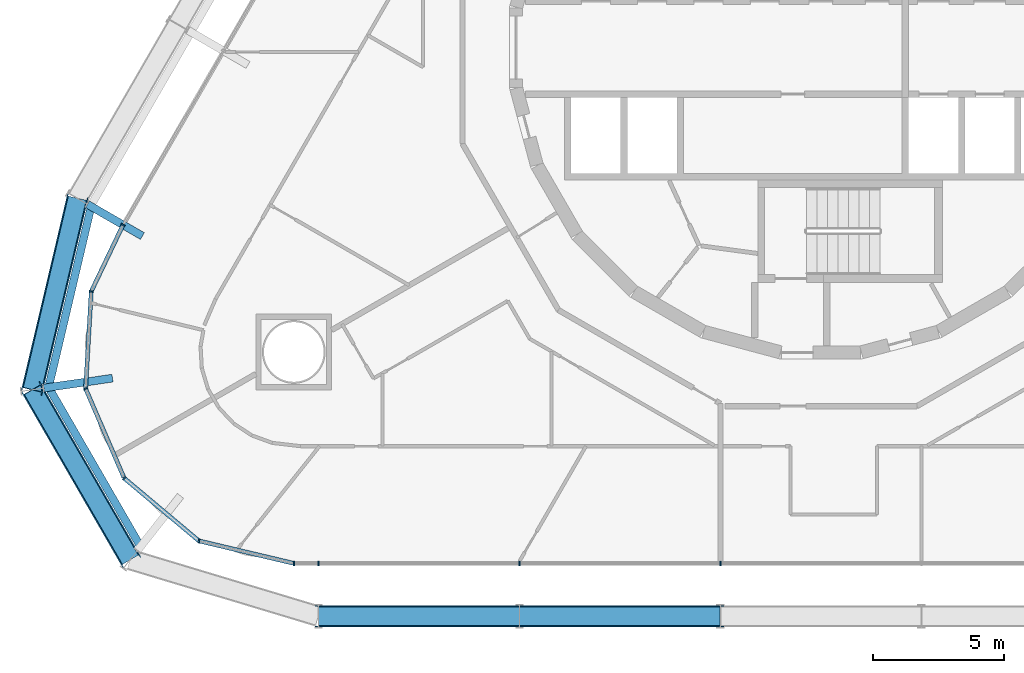
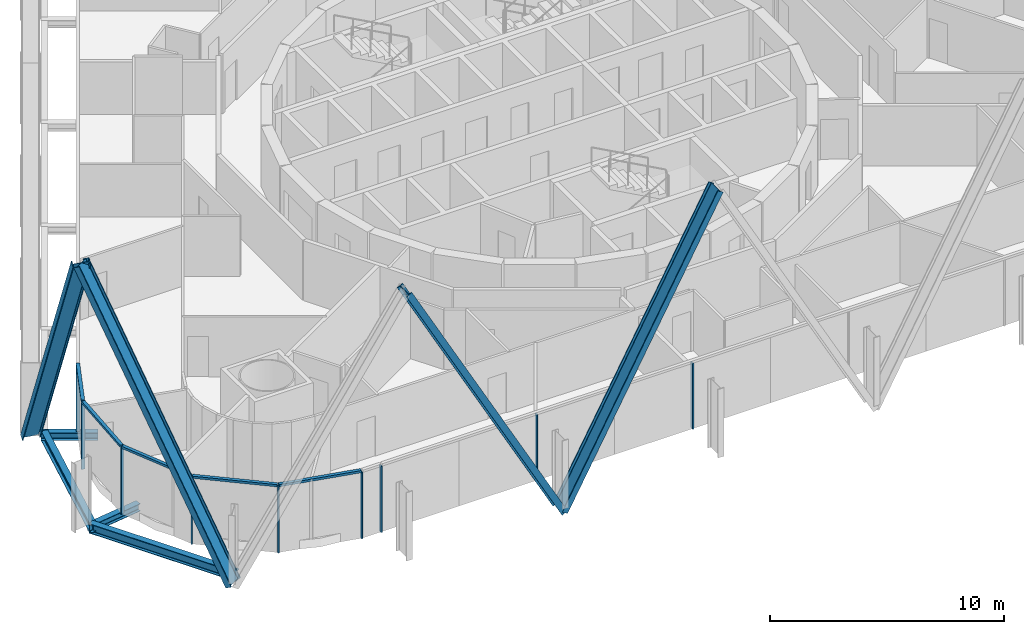
# One storey, part 3 of 21: 18 members, 4 beams, 2 elements without a shape of their own.
"""IFC4 building model written with IfcOpenShell, lengths in metres."""

from ifc_helpers import new_model, si_unit, direction, frame, origin, origin_2d, place, context, subcontext, project, spatial, rectangle, i_section, extrude, material, layer, layer_set, material_profile, profile_set, type_object, element, aggregate, save


model = new_model("IFC4")

# Units and contexts
model_context = context("Model", 3, precision=1e-05, world=origin(), true_north=direction((0.0, 1.0)))
body_context = subcontext(model_context, "Body", "Model", "MODEL_VIEW")
ifc_project = project(units=[si_unit("LENGTHUNIT", "METRE"), si_unit("AREAUNIT", "SQUARE_METRE"), si_unit("VOLUMEUNIT", "CUBIC_METRE"), si_unit("PLANEANGLEUNIT", "RADIAN"), si_unit("MASSUNIT", "GRAM", prefix="KILO")], contexts=[model_context])

# Site, building, storey
site_placement = place(None, origin())
site = spatial("IfcSite", under=ifc_project, at=site_placement, CompositionType="ELEMENT")
building_placement = place(site_placement, origin())
building = spatial("IfcBuilding", under=site, at=building_placement, Name="Spindle Arch Residences", CompositionType="ELEMENT")
storey_placement = place(building_placement, frame((0.0, 0.0, 38.39990234375)))
storey = spatial("IfcBuildingStorey", under=building, at=storey_placement, Name="L07", CompositionType="ELEMENT", Elevation=38.39990234375)

# Curtain wall, members
ifc_material_1 = material(Name="Aluminium bronze unitised frame with tinted glass", Category="aluminium")
ifc_layer_1 = layer(ifc_material_1, 0.159912109375)
ifc_layer_set_1 = layer_set([ifc_layer_1], Name="CW-D corner wall on the fillet arcs")
curtain_wall_type_1 = type_object("IfcCurtainWallType", Name="CW-D corner wall on the fillet arcs", PredefinedType="NOTDEFINED", material=ifc_layer_set_1)
curtain_wall_1_placement = place(storey_placement, origin())
curtain_wall_1 = element("IfcCurtainWall", 1, at=curtain_wall_1_placement, inside=storey, type_object=curtain_wall_type_1, Name="CW-D L07 run 5", PredefinedType="NOTDEFINED")
ifc_material_2 = material(Name="Aluminium bronze anodised mullion", Category="aluminium")
ifc_material_profile_1 = material_profile(ifc_material_2, rectangle(XDim=0.159912109375, YDim=0.06005859375, at=origin_2d()), Name="MU 60x160")
ifc_profile_set_1 = profile_set([ifc_material_profile_1], Name="Aluminium bronze anodised mullion")
member_type_1 = type_object("IfcMemberType", Name="Bronze mullion 60x160", PredefinedType="MULLION", material=ifc_profile_set_1)
member_1_placement = place(storey_placement, frame((-26.66943359375, -6.77294921875, -0.449951171875), z_axis=(0.0, 0.0, 1.0), x_axis=(0.902111889092, -0.431502189519, 0.0)))
member_1 = element("IfcMember", 2, at=member_1_placement, type_object=member_type_1, Name="CW-D mullion 00", PredefinedType="MULLION", context=body_context, shape_type="SweptSolid", body=[
    extrude(rectangle(XDim=0.159912109375, YDim=0.06005859375, at=origin_2d()), origin(), (0.0, 0.0, 1.0), 3.449951171875),
])
member_2_placement = place(storey_placement, frame((-27.884033203125, -9.3125, -0.449951171875), z_axis=(0.0, 0.0, 1.0), x_axis=(0.99830815821, -0.058144829968, 0.0)))
member_2 = element("IfcMember", 3, at=member_2_placement, type_object=member_type_1, Name="CW-D mullion 01", PredefinedType="MULLION", context=body_context, shape_type="SweptSolid", body=[
    extrude(rectangle(XDim=0.159912109375, YDim=0.06005859375, at=origin_2d()), origin(), (0.0, 0.0, 1.0), 3.449951171875),
])
member_3_placement = place(storey_placement, frame((-28.100830078125, -13.032958984375, -0.449951171875), z_axis=(0.0, 0.0, 1.0), x_axis=(0.918216106599, 0.396079766691, 0.0)))
member_3 = element("IfcMember", 4, at=member_3_placement, type_object=member_type_1, Name="CW-D mullion 02", PredefinedType="MULLION", context=body_context, shape_type="SweptSolid", body=[
    extrude(rectangle(XDim=0.159912109375, YDim=0.06005859375, at=origin_2d()), origin(), (0.0, 0.0, 1.0), 3.449951171875),
])
member_4_placement = place(storey_placement, frame((-26.624755859375, -16.454833984375, -0.449951171875), z_axis=(0.0, 0.0, 1.0), x_axis=(0.64278760716, 0.766044445239, 0.0)))
member_4 = element("IfcMember", 5, at=member_4_placement, type_object=member_type_1, Name="CW-D mullion 03", PredefinedType="MULLION", context=body_context, shape_type="SweptSolid", body=[
    extrude(rectangle(XDim=0.159912109375, YDim=0.06005859375, at=origin_2d()), origin(), (0.0, 0.0, 1.0), 3.449951171875),
])
member_5_placement = place(storey_placement, frame((-23.769775390625, -18.850341796875, -0.449951171875), z_axis=(0.0, 0.0, 1.0), x_axis=(0.230615868852, 0.973044871028, 0.0)))
member_5 = element("IfcMember", 6, at=member_5_placement, type_object=member_type_1, Name="CW-D mullion 04", PredefinedType="MULLION", context=body_context, shape_type="SweptSolid", body=[
    extrude(rectangle(XDim=0.159912109375, YDim=0.06005859375, at=origin_2d()), origin(), (0.0, 0.0, 1.0), 3.449951171875),
])
member_6_placement = place(storey_placement, frame((-20.1435546875, -19.7099609375, -0.449951171875), z_axis=(0.0, 0.0, 1.0), x_axis=(0.0, 1.0, 0.0)))
member_6 = element("IfcMember", 7, at=member_6_placement, type_object=member_type_1, Name="CW-D mullion 05", PredefinedType="MULLION", context=body_context, shape_type="SweptSolid", body=[
    extrude(rectangle(XDim=0.159912109375, YDim=0.06005859375, at=origin_2d()), origin(), (0.0, 0.0, 1.0), 3.449951171875),
])

ifc_material_3 = material(Name="Aluminium bronze unitised frame with tinted glass", Category="aluminium")
ifc_layer_2 = layer(ifc_material_3, 0.159912109375)
ifc_layer_set_2 = layer_set([ifc_layer_2], Name="CW-C typical residential unitised wall")
curtain_wall_type_2 = type_object("IfcCurtainWallType", Name="CW-C typical residential unitised wall", PredefinedType="NOTDEFINED", material=ifc_layer_set_2)
curtain_wall_2_placement = place(storey_placement, origin())
curtain_wall_2 = element("IfcCurtainWall", 8, at=curtain_wall_2_placement, inside=storey, type_object=curtain_wall_type_2, Name="CW-C L07 run 6", PredefinedType="NOTDEFINED")
member_7_placement = place(storey_placement, frame((-19.2001953125, -19.7099609375, -0.449951171875), z_axis=(0.0, 0.0, 1.0), x_axis=(0.0, 1.0, 0.0)))
member_7 = element("IfcMember", 9, at=member_7_placement, type_object=member_type_1, Name="CW-C mullion 21", PredefinedType="MULLION", context=body_context, shape_type="SweptSolid", body=[
    extrude(rectangle(XDim=0.159912109375, YDim=0.06005859375, at=origin_2d()), origin(), (0.0, 0.0, 1.0), 3.449951171875),
])
member_8_placement = place(storey_placement, frame((-11.52001953125, -19.7099609375, -0.449951171875), z_axis=(0.0, 0.0, 1.0), x_axis=(0.0, 1.0, 0.0)))
member_8 = element("IfcMember", 10, at=member_8_placement, type_object=member_type_1, Name="CW-C mullion 22", PredefinedType="MULLION", context=body_context, shape_type="SweptSolid", body=[
    extrude(rectangle(XDim=0.159912109375, YDim=0.06005859375, at=origin_2d()), origin(), (0.0, 0.0, 1.0), 3.449951171875),
])
member_9_placement = place(storey_placement, frame((-3.840087890625, -19.7099609375, -0.449951171875), z_axis=(0.0, 0.0, 1.0), x_axis=(0.0, 1.0, 0.0)))
member_9 = element("IfcMember", 11, at=member_9_placement, type_object=member_type_1, Name="CW-C mullion 23", PredefinedType="MULLION", context=body_context, shape_type="SweptSolid", body=[
    extrude(rectangle(XDim=0.159912109375, YDim=0.06005859375, at=origin_2d()), origin(), (0.0, 0.0, 1.0), 3.449951171875),
])
aggregate(curtain_wall_2, [member_7, member_8, member_9])

# Member
ifc_material_4 = material(Name="Aluminium bronze anodised transom", Category="aluminium")
ifc_material_profile_2 = material_profile(ifc_material_4, rectangle(XDim=0.159912109375, YDim=0.1201171875, at=origin_2d()), Name="TR 120x160")
ifc_profile_set_2 = profile_set([ifc_material_profile_2], Name="Aluminium bronze anodised transom")
member_type_2 = type_object("IfcMemberType", Name="Bronze transom 120x160", PredefinedType="USERDEFINED", material=ifc_profile_set_2)
member_10_placement = place(storey_placement, frame((-26.682373046875, -6.800048828125, 3.06005859375), z_axis=(-0.43147744699, -0.902123723631, 0.0), x_axis=(0.902123723631, -0.43147744699, 0.0)))
member_10 = element("IfcMember", 12, at=member_10_placement, type_object=member_type_2, Name="CW-D transom 00", ObjectType="TRANSOM", PredefinedType="USERDEFINED", context=body_context, shape_type="SweptSolid", body=[
    extrude(rectangle(XDim=0.159912109375, YDim=0.1201171875, at=origin_2d()), origin(), (0.0, 0.0, 1.0), 2.7548828125),
])

member_11_placement = place(storey_placement, frame((-27.885986328125, -9.342529296875, 3.06005859375), z_axis=(-0.058128716156, -0.998309096602, 0.0), x_axis=(0.998309096602, -0.058128716156, 0.0)))
member_11 = element("IfcMember", 13, at=member_11_placement, type_object=member_type_2, Name="CW-D transom 01", ObjectType="TRANSOM", PredefinedType="USERDEFINED", context=body_context, shape_type="SweptSolid", body=[
    extrude(rectangle(XDim=0.159912109375, YDim=0.1201171875, at=origin_2d()), origin(), (0.0, 0.0, 1.0), 3.66650390625),
])

member_12_placement = place(storey_placement, frame((-28.0888671875, -13.060546875, 3.06005859375), z_axis=(0.39603167212, -0.918236851078, 0.0), x_axis=(0.918236851078, 0.39603167212, 0.0)))
member_12 = element("IfcMember", 14, at=member_12_placement, type_object=member_type_2, Name="CW-D transom 02", ObjectType="TRANSOM", PredefinedType="USERDEFINED", context=body_context, shape_type="SweptSolid", body=[
    extrude(rectangle(XDim=0.159912109375, YDim=0.1201171875, at=origin_2d()), origin(), (0.0, 0.0, 1.0), 3.666748046875),
])

member_13_placement = place(storey_placement, frame((-26.601806640625, -16.47412109375, 3.06005859375), z_axis=(0.766006453075, -0.642832881741, 0.0), x_axis=(0.642832881741, 0.766006453075, 0.0)))
member_13 = element("IfcMember", 15, at=member_13_placement, type_object=member_type_2, Name="CW-D transom 03", ObjectType="TRANSOM", PredefinedType="USERDEFINED", context=body_context, shape_type="SweptSolid", body=[
    extrude(rectangle(XDim=0.159912109375, YDim=0.1201171875, at=origin_2d()), origin(), (0.0, 0.0, 1.0), 3.666748046875),
])

member_14_placement = place(storey_placement, frame((-23.74072265625, -18.857421875, 3.06005859375), z_axis=(0.973053560164, -0.230579203425, 0.0), x_axis=(0.230579203425, 0.973053560164, 0.0)))
member_14 = element("IfcMember", 16, at=member_14_placement, type_object=member_type_2, Name="CW-D transom 04", ObjectType="TRANSOM", PredefinedType="USERDEFINED", context=body_context, shape_type="SweptSolid", body=[
    extrude(rectangle(XDim=0.159912109375, YDim=0.1201171875, at=origin_2d()), origin(), (0.0, 0.0, 1.0), 3.666748046875),
])

aggregate(curtain_wall_1, [member_1, member_10, member_2, member_11, member_3, member_12, member_4, member_13, member_5, member_14, member_6])

# Members
ifc_material_5 = material(Name="Steel S460ML, intumescent coating R 240", Category="steel")
ifc_material_profile_3 = material_profile(ifc_material_5, i_section(OverallWidth=0.302978515625, OverallDepth=0.81396484375, WebThickness=0.02099609375, FlangeThickness=0.0400390625, FilletRadius=0.030029296875, at=origin_2d()), Name="HEM 800")
ifc_profile_set_3 = profile_set([ifc_material_profile_3], Name="Steel S460ML, intumescent coating R 240")
member_type_3 = type_object("IfcMemberType", Name="Diagrid diagonal HEM 800", PredefinedType="BRACE", material=ifc_profile_set_3)
member_15_placement = place(storey_placement, frame((-28.418701171875, -5.762939453125, -0.699951171875), z_axis=(-0.107918612361, -0.458355604245, 0.882192560138), x_axis=(0.202181473813, 0.858712038352, 0.470888826409)))
element("IfcMember", 17, at=member_15_placement, inside=storey, type_object=member_type_3, Name="Diagrid diagonal 1.1.19", PredefinedType="BRACE", context=body_context, shape_type="SweptSolid", body=[
    extrude(i_section(OverallWidth=0.302978515625, OverallDepth=0.81396484375, WebThickness=0.02099609375, FlangeThickness=0.0400390625, FilletRadius=0.030029296875, at=origin_2d()), origin(), (0.0, 0.0, 1.0), 15.948974609375),
])
member_16_placement = place(storey_placement, frame((-26.3916015625, -19.565185546875, -0.699951171875), z_axis=(-0.23511380549, 0.407211046817, 0.882553489494), x_axis=(0.441291381869, -0.764305291167, 0.470212014077)))
element("IfcMember", 18, at=member_16_placement, inside=storey, type_object=member_type_3, Name="Diagrid diagonal 1.1.20", PredefinedType="BRACE", context=body_context, shape_type="SweptSolid", body=[
    extrude(i_section(OverallWidth=0.302978515625, OverallDepth=0.81396484375, WebThickness=0.02099609375, FlangeThickness=0.0400390625, FilletRadius=0.030029296875, at=origin_2d()), origin(), (0.0, 0.0, 1.0), 15.9423828125),
])
member_17_placement = place(storey_placement, frame((-11.52001953125, -21.72998046875, -0.699951171875), z_axis=(-0.479121018672, 0.0, 0.877748853299), x_axis=(0.877748853299, 0.0, 0.479121018672)))
element("IfcMember", 19, at=member_17_placement, inside=storey, type_object=member_type_3, Name="Diagrid diagonal 1.1.22", PredefinedType="BRACE", context=body_context, shape_type="SweptSolid", body=[
    extrude(i_section(OverallWidth=0.302978515625, OverallDepth=0.81396484375, WebThickness=0.02099609375, FlangeThickness=0.0400390625, FilletRadius=0.030029296875, at=origin_2d()), origin(), (0.0, 0.0, 1.0), 16.02978515625),
])
member_18_placement = place(storey_placement, frame((-11.52001953125, -21.72998046875, -0.699951171875), z_axis=(0.479109284312, 0.0, 0.877755258421), x_axis=(-0.877755258421, 0.0, 0.479109284312)))
element("IfcMember", 20, at=member_18_placement, inside=storey, type_object=member_type_3, Name="Diagrid diagonal 1.1.23", PredefinedType="BRACE", context=body_context, shape_type="SweptSolid", body=[
    extrude(i_section(OverallWidth=0.302978515625, OverallDepth=0.81396484375, WebThickness=0.02099609375, FlangeThickness=0.0400390625, FilletRadius=0.030029296875, at=origin_2d()), origin(), (0.0, 0.0, 1.0), 16.029541015625),
])

# Beams
ifc_material_6 = material(Name="Steel S460ML, intumescent coating R 120", Category="steel")
ifc_material_profile_4 = material_profile(ifc_material_6, i_section(OverallWidth=0.300048828125, OverallDepth=0.5, WebThickness=0.014404296875, FlangeThickness=0.028076171875, FilletRadius=0.027099609375, at=origin_2d()), Name="HEB 500")
ifc_profile_set_4 = profile_set([ifc_material_profile_4], Name="Steel S460ML, intumescent coating R 120")
beam_type_1 = type_object("IfcBeamType", Name="Exoskeleton edge beam HEB 500", PredefinedType="BEAM", material=ifc_profile_set_4)
beam_1_placement = place(storey_placement, frame((-27.8720703125, -6.00048828125, -0.699951171875), z_axis=(-0.229185730541, -0.973382710406, 0.0), x_axis=(0.973382710406, -0.229185730541, 0.0)))
element("IfcBeam", 21, at=beam_1_placement, inside=storey, type_object=beam_type_1, Name="Exoskeleton edge beam 19", PredefinedType="BEAM", context=body_context, shape_type="SweptSolid", body=[
    extrude(i_section(OverallWidth=0.300048828125, OverallDepth=0.5, WebThickness=0.014404296875, FlangeThickness=0.028076171875, FilletRadius=0.027099609375, at=origin_2d()), origin(), (0.0, 0.0, 1.0), 7.25),
])
beam_2_placement = place(storey_placement, frame((-29.56640625, -12.892333984375, -0.699951171875), z_axis=(0.499999897272, -0.866025463095, 0.0), x_axis=(0.866025463095, 0.499999897272, 0.0)))
element("IfcBeam", 22, at=beam_2_placement, inside=storey, type_object=beam_type_1, Name="Exoskeleton edge beam 20", PredefinedType="BEAM", context=body_context, shape_type="SweptSolid", body=[
    extrude(i_section(OverallWidth=0.300048828125, OverallDepth=0.5, WebThickness=0.014404296875, FlangeThickness=0.028076171875, FilletRadius=0.027099609375, at=origin_2d()), origin(), (0.0, 0.0, 1.0), 7.236328125),
])
ifc_material_7 = material(Name="Steel S460ML, intumescent coating R 120", Category="steel")
ifc_material_profile_5 = material_profile(ifc_material_7, i_section(OverallWidth=0.300048828125, OverallDepth=0.389892578125, WebThickness=0.010986328125, FlangeThickness=0.01904296875, FilletRadius=0.027099609375, at=origin_2d()), Name="HEA 400")
ifc_profile_set_5 = profile_set([ifc_material_profile_5], Name="Steel S460ML, intumescent coating R 120")
beam_type_2 = type_object("IfcBeamType", Name="Floor outrigger HEA 400", PredefinedType="BEAM", material=ifc_profile_set_5)
beam_3_placement = place(storey_placement, frame((-28.029052734375, -5.98779296875, -0.64501953125), z_axis=(0.866002732682, -0.500039265445, 0.0), x_axis=(0.500039265445, 0.866002732682, 0.0)))
element("IfcBeam", 23, at=beam_3_placement, inside=storey, type_object=beam_type_2, Name="Floor outrigger 19", PredefinedType="BEAM", context=body_context, shape_type="SweptSolid", body=[
    extrude(i_section(OverallWidth=0.300048828125, OverallDepth=0.389892578125, WebThickness=0.010986328125, FlangeThickness=0.01904296875, FilletRadius=0.027099609375, at=origin_2d()), origin(), (0.0, 0.0, 1.0), 2.423583984375),
])
beam_4_placement = place(storey_placement, frame((-29.694580078125, -13.009033203125, -0.64501953125), z_axis=(0.989738348309, 0.142891573883, 0.0), x_axis=(-0.142891573883, 0.989738348309, 0.0)))
element("IfcBeam", 24, at=beam_4_placement, inside=storey, type_object=beam_type_2, Name="Floor outrigger 20", PredefinedType="BEAM", context=body_context, shape_type="SweptSolid", body=[
    extrude(i_section(OverallWidth=0.300048828125, OverallDepth=0.389892578125, WebThickness=0.010986328125, FlangeThickness=0.01904296875, FilletRadius=0.027099609375, at=origin_2d()), origin(), (0.0, 0.0, 1.0), 2.64990234375),
])

save(model, "model.ifc")
